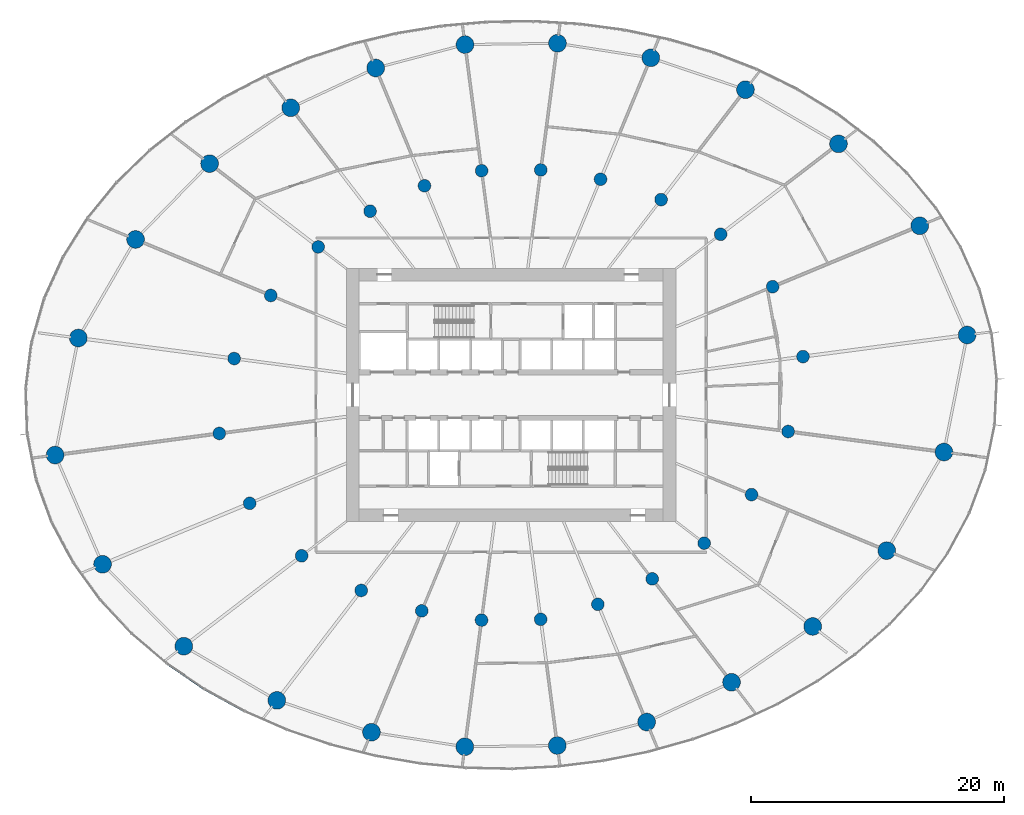
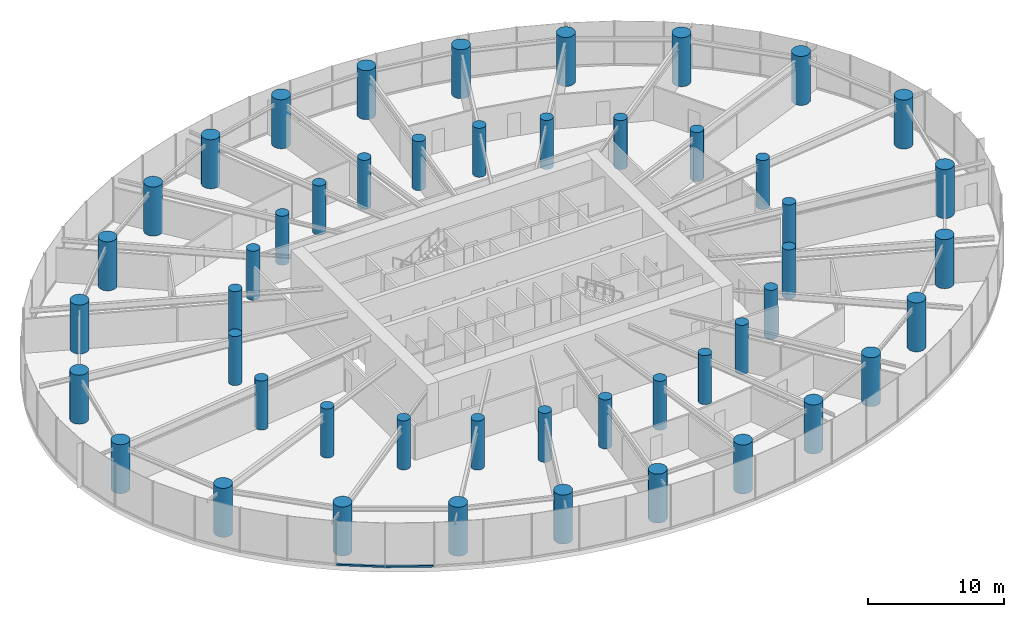
# One storey, part 1 of 19: 48 columns, 2 members, 1 element without a shape of its own.
"""IFC4 building model written with IfcOpenShell, lengths in metres."""

from ifc_helpers import new_model, si_unit, direction, frame, origin, origin_2d, place, context, subcontext, project, spatial, rectangle, circle, extrude, source, transform, mapped, material, layer, layer_set, material_profile, profile_set, type_object, element, aggregate, save


model = new_model("IFC4")

# Units and contexts
model_context = context("Model", 3, precision=1e-05, world=origin(), true_north=direction((0.0, 1.0)))
body_context = subcontext(model_context, "Body", "Model", "MODEL_VIEW")
ifc_project = project(units=[si_unit("LENGTHUNIT", "METRE"), si_unit("AREAUNIT", "SQUARE_METRE"), si_unit("VOLUMEUNIT", "CUBIC_METRE"), si_unit("PLANEANGLEUNIT", "RADIAN"), si_unit("MASSUNIT", "GRAM", prefix="KILO")], contexts=[model_context])

# Site, building, storey
site_placement = place(None, origin())
site = spatial("IfcSite", under=ifc_project, at=site_placement, CompositionType="ELEMENT")
building_placement = place(site_placement, origin())
building = spatial("IfcBuilding", under=site, at=building_placement, Name="Spindrift Exchange Tower", CompositionType="ELEMENT")
storey_placement = place(building_placement, frame((0.0, 0.0, 27.0)))
storey = spatial("IfcBuildingStorey", under=building, at=storey_placement, Name="L06", CompositionType="ELEMENT", Elevation=27.0)

# Columns
ifc_material_1 = material(Name="Concrete 80 MPa", Category="concrete")
ifc_material_profile_1 = material_profile(ifc_material_1, circle(Radius=0.699951171875, at=origin_2d()), Name="RC D1400")
ifc_profile_set_1 = profile_set([ifc_material_profile_1], Name="Concrete 80 MPa")
column_type_1 = type_object("IfcColumnType", Name="RC Perimeter Column D1400 Concrete 80 MPa", PredefinedType="COLUMN", material=ifc_profile_set_1)
shared_shape_1 = source(origin(), body_context, "Body", "SweptSolid", [
    extrude(circle(Radius=0.699951171875, at=origin_2d()), origin(), (0.0, 0.0, 1.0), 4.39990234375),
])
for number, where, z_axis, x_axis, name in (
    (1, (87.990478515625, 52.73828125, 0.0), (0.0, 0.0, 1.0), (1.0, 0.0, 0.0), "Perimeter column P1-01 L06"),
    (2, (84.248779296875, 61.35791015625, 0.0), (0.0, 0.0, 1.0), (1.0, 0.0, 0.0), "Perimeter column P1-02 L06"),
    (3, (77.835693359375, 67.82421875, 0.0), (0.0, 0.0, 1.0), (1.0, 0.0, 0.0), "Perimeter column P1-03 L06"),
    (4, (70.4921875, 72.099609375, 0.0), (0.0, 0.0, 1.0), (1.0, 0.0, 0.0), "Perimeter column P1-04 L06"),
    (5, (63.022705078125, 74.611328125, 0.0), (0.0, 0.0, 1.0), (1.0, 0.0, 0.0), "Perimeter column P1-05 L06"),
    (6, (55.65478515625, 75.761474609375, 0.0), (0.0, 0.0, 1.0), (1.0, 0.0, 0.0), "Perimeter column P1-06 L06"),
    (7, (48.3583984375, 75.661376953125, 0.0), (0.0, 0.0, 1.0), (1.0, 0.0, 0.0), "Perimeter column P1-07 L06"),
    (8, (41.309814453125, 73.80859375, 0.0), (0.0, 0.0, 1.0), (1.0, 0.0, 0.0), "Perimeter column P1-08 L06"),
    (9, (34.603515625, 70.671630859375, 0.0), (0.0, 0.0, 1.0), (1.0, 0.0, 0.0), "Perimeter column P1-09 L06"),
    (10, (28.199462890625, 66.2626953125, 0.0), (0.0, 0.0, 1.0), (1.0, 0.0, 0.0), "Perimeter column P1-10 L06"),
    (11, (22.35546875, 60.279296875, 0.0), (0.0, 0.0, 1.0), (1.0, 0.0, 0.0), "Perimeter column P1-11 L06"),
    (12, (17.8388671875, 52.497314453125, 0.0), (0.0, 0.0, 1.0), (1.0, 0.0, 0.0), "Perimeter column P1-12 L06"),
    (13, (16.009521484375, 43.26171875, 0.0), (0.0, 0.0, 1.0), (1.0, 0.0, 0.0), "Perimeter column P1-13 L06"),
    (14, (19.751220703125, 34.64208984375, 0.0), (0.0, 0.0, 1.0), (1.0, 0.0, 0.0), "Perimeter column P1-14 L06"),
    (15, (26.164306640625, 28.17578125, 0.0), (0.0, 0.0, 1.0), (1.0, 0.0, 0.0), "Perimeter column P1-15 L06"),
    (16, (33.5078125, 23.900390625, 0.0), (0.0, 0.0, 1.0), (1.0, 0.0, 0.0), "Perimeter column P1-16 L06"),
    (17, (40.977294921875, 21.388671875, 0.0), (0.0, 0.0, 1.0), (1.0, 0.0, 0.0), "Perimeter column P1-17 L06"),
    (18, (48.34521484375, 20.238525390625, 0.0), (0.0, 0.0, 1.0), (1.0, 0.0, 0.0), "Perimeter column P1-18 L06"),
    (19, (55.6416015625, 20.338623046875, 0.0), (0.0, 0.0, 1.0), (1.0, 0.0, 0.0), "Perimeter column P1-19 L06"),
    (20, (62.690185546875, 22.19140625, 0.0), (0.0, 0.0, 1.0), (1.0, 0.0, 0.0), "Perimeter column P1-20 L06"),
    (21, (69.396484375, 25.328369140625, 0.0), (0.0, 0.0, 1.0), (1.0, 0.0, 0.0), "Perimeter column P1-21 L06"),
    (22, (75.800537109375, 29.7373046875, 0.0), (0.0, 0.0, 1.0), (1.0, 0.0, 0.0), "Perimeter column P1-22 L06"),
    (23, (81.64453125, 35.720703125, 0.0), (0.0, 0.0, 1.0), (1.0, 0.0, 0.0), "Perimeter column P1-23 L06"),
    (24, (86.1611328125, 43.502685546875, 0.0), (0.0, 0.0, 1.0), (1.0, 0.0, 0.0), "Perimeter column P1-24 L06"),
):
    element("IfcColumn", number, at=place(storey_placement, frame(where, z_axis=z_axis, x_axis=x_axis)), inside=storey, type_object=column_type_1, Name=name, PredefinedType="COLUMN", context=body_context, shape_type="MappedRepresentation", body=[
        mapped(shared_shape_1, transform((0.0, 0.0, 0.0), scale=1.0)),
    ])
ifc_material_profile_2 = material_profile(ifc_material_1, circle(Radius=0.5, at=origin_2d()), Name="RC D1000")
ifc_profile_set_2 = profile_set([ifc_material_profile_2], Name="Concrete 80 MPa")
column_type_2 = type_object("IfcColumnType", Name="RC Inner Column D1000 Concrete 80 MPa", PredefinedType="COLUMN", material=ifc_profile_set_2)
shared_shape_2 = source(origin(), body_context, "Body", "SweptSolid", [
    extrude(circle(Radius=0.5, at=origin_2d()), origin(), (0.0, 0.0, 1.0), 4.39990234375),
])
for number, where, z_axis, x_axis, name in (
    (25, (75.033935546875, 51.032470703125, 0.0), (0.0, 0.0, 1.0), (1.0, 0.0, 0.0), "Inner column Q1-01 L06"),
    (26, (72.639404296875, 56.549072265625, 0.0), (0.0, 0.0, 1.0), (1.0, 0.0, 0.0), "Inner column Q1-02 L06"),
    (27, (68.534912109375, 60.6875, 0.0), (0.0, 0.0, 1.0), (1.0, 0.0, 0.0), "Inner column Q1-03 L06"),
    (28, (63.835205078125, 63.423828125, 0.0), (0.0, 0.0, 1.0), (1.0, 0.0, 0.0), "Inner column Q1-04 L06"),
    (29, (59.0546875, 65.03125, 0.0), (0.0, 0.0, 1.0), (1.0, 0.0, 0.0), "Inner column Q1-05 L06"),
    (30, (54.339111328125, 65.767333984375, 0.0), (0.0, 0.0, 1.0), (1.0, 0.0, 0.0), "Inner column Q1-06 L06"),
    (31, (49.669189453125, 65.703125, 0.0), (0.0, 0.0, 1.0), (1.0, 0.0, 0.0), "Inner column Q1-07 L06"),
    (32, (45.158203125, 64.517578125, 0.0), (0.0, 0.0, 1.0), (1.0, 0.0, 0.0), "Inner column Q1-08 L06"),
    (33, (40.8662109375, 62.510009765625, 0.0), (0.0, 0.0, 1.0), (1.0, 0.0, 0.0), "Inner column Q1-09 L06"),
    (34, (36.767578125, 59.688232421875, 0.0), (0.0, 0.0, 1.0), (1.0, 0.0, 0.0), "Inner column Q1-10 L06"),
    (35, (33.027587890625, 55.858642578125, 0.0), (0.0, 0.0, 1.0), (1.0, 0.0, 0.0), "Inner column Q1-11 L06"),
    (36, (30.13671875, 50.87841796875, 0.0), (0.0, 0.0, 1.0), (1.0, 0.0, 0.0), "Inner column Q1-12 L06"),
    (37, (28.966064453125, 44.967529296875, 0.0), (0.0, 0.0, 1.0), (1.0, 0.0, 0.0), "Inner column Q1-13 L06"),
    (38, (31.360595703125, 39.450927734375, 0.0), (0.0, 0.0, 1.0), (1.0, 0.0, 0.0), "Inner column Q1-14 L06"),
    (39, (35.465087890625, 35.3125, 0.0), (0.0, 0.0, 1.0), (1.0, 0.0, 0.0), "Inner column Q1-15 L06"),
    (40, (40.164794921875, 32.576171875, 0.0), (0.0, 0.0, 1.0), (1.0, 0.0, 0.0), "Inner column Q1-16 L06"),
    (41, (44.9453125, 30.96875, 0.0), (0.0, 0.0, 1.0), (1.0, 0.0, 0.0), "Inner column Q1-17 L06"),
    (42, (49.660888671875, 30.232666015625, 0.0), (0.0, 0.0, 1.0), (1.0, 0.0, 0.0), "Inner column Q1-18 L06"),
    (43, (54.330810546875, 30.296875, 0.0), (0.0, 0.0, 1.0), (1.0, 0.0, 0.0), "Inner column Q1-19 L06"),
    (44, (58.841796875, 31.482421875, 0.0), (0.0, 0.0, 1.0), (1.0, 0.0, 0.0), "Inner column Q1-20 L06"),
    (45, (63.1337890625, 33.489990234375, 0.0), (0.0, 0.0, 1.0), (1.0, 0.0, 0.0), "Inner column Q1-21 L06"),
    (46, (67.232421875, 36.311767578125, 0.0), (0.0, 0.0, 1.0), (1.0, 0.0, 0.0), "Inner column Q1-22 L06"),
    (47, (70.972412109375, 40.141357421875, 0.0), (0.0, 0.0, 1.0), (1.0, 0.0, 0.0), "Inner column Q1-23 L06"),
    (48, (73.86328125, 45.12158203125, 0.0), (0.0, 0.0, 1.0), (1.0, 0.0, 0.0), "Inner column Q1-24 L06"),
):
    element("IfcColumn", number, at=place(storey_placement, frame(where, z_axis=z_axis, x_axis=x_axis)), inside=storey, type_object=column_type_2, Name=name, PredefinedType="COLUMN", context=body_context, shape_type="MappedRepresentation", body=[
        mapped(shared_shape_2, transform((0.0, 0.0, 0.0), scale=1.0)),
    ])

# Curtain wall, members
ifc_material_2 = material(Name="Fritted laminated glass with bronze frame", Category="glass")
ifc_layer = layer(ifc_material_2, 0.199951171875)
ifc_layer_set = layer_set([ifc_layer], Name="ZONE 1 BRONZE FRITTED WALL")
curtain_wall_type = type_object("IfcCurtainWallType", Name="ZONE 1 BRONZE FRITTED WALL", PredefinedType="NOTDEFINED", material=ifc_layer_set)
curtain_wall_placement = place(storey_placement, origin())
curtain_wall = element("IfcCurtainWall", 49, at=curtain_wall_placement, inside=storey, type_object=curtain_wall_type, Name="L06 Zone 1 Bronze Fritted Wall run 7", PredefinedType="NOTDEFINED")
ifc_material_3 = material(Name="Bronze anodised aluminium", Category="aluminium")
ifc_material_profile_3 = material_profile(ifc_material_3, rectangle(XDim=0.179931640625, YDim=0.14990234375, at=origin_2d()), Name="ZONE 1 BRONZE FRITTED WALL TRANSOM 180X150")
ifc_profile_set_3 = profile_set([ifc_material_profile_3], Name="Bronze anodised aluminium")
member_type = type_object("IfcMemberType", Name="ZONE 1 BRONZE FRITTED WALL TRANSOM 180X150", PredefinedType="USERDEFINED", material=ifc_profile_set_3)
shared_shape_3 = source(origin(), body_context, "Body", "SweptSolid", [
    extrude(rectangle(XDim=0.179931640625, YDim=0.14990234375, at=origin_2d()), origin(), (0.0, 0.0, 1.0), 3.546875),
])
member_1_placement = place(storey_placement, frame((27.837890625, 24.765625, 0.074951171875), z_axis=(0.876423640991, -0.481540861727, 0.0), x_axis=(0.481540861727, 0.876423640991, 0.0)))
member_1 = element("IfcMember", 50, at=member_1_placement, type_object=member_type, Name="L06 transom CW-1.38", ObjectType="TRANSOM", PredefinedType="USERDEFINED", context=body_context, shape_type="MappedRepresentation", body=[
    mapped(shared_shape_3, transform((0.0, 0.0, 0.0), scale=1.0)),
])
shared_shape_4 = source(origin(), body_context, "Body", "SweptSolid", [
    extrude(rectangle(XDim=0.179931640625, YDim=0.14990234375, at=origin_2d()), origin(), (0.0, 0.0, 1.0), 3.546630859375),
])
member_2_placement = place(storey_placement, frame((24.84130859375, 26.80810546875, 0.074951171875), z_axis=(0.825727471796, -0.564069270854, 0.0), x_axis=(0.564069270854, 0.825727471796, 0.0)))
member_2 = element("IfcMember", 51, at=member_2_placement, type_object=member_type, Name="L06 transom CW-1.37", ObjectType="TRANSOM", PredefinedType="USERDEFINED", context=body_context, shape_type="MappedRepresentation", body=[
    mapped(shared_shape_4, transform((0.0, 0.0, 0.0), scale=1.0)),
])
aggregate(curtain_wall, [member_2, member_1])

save(model, "model.ifc")
